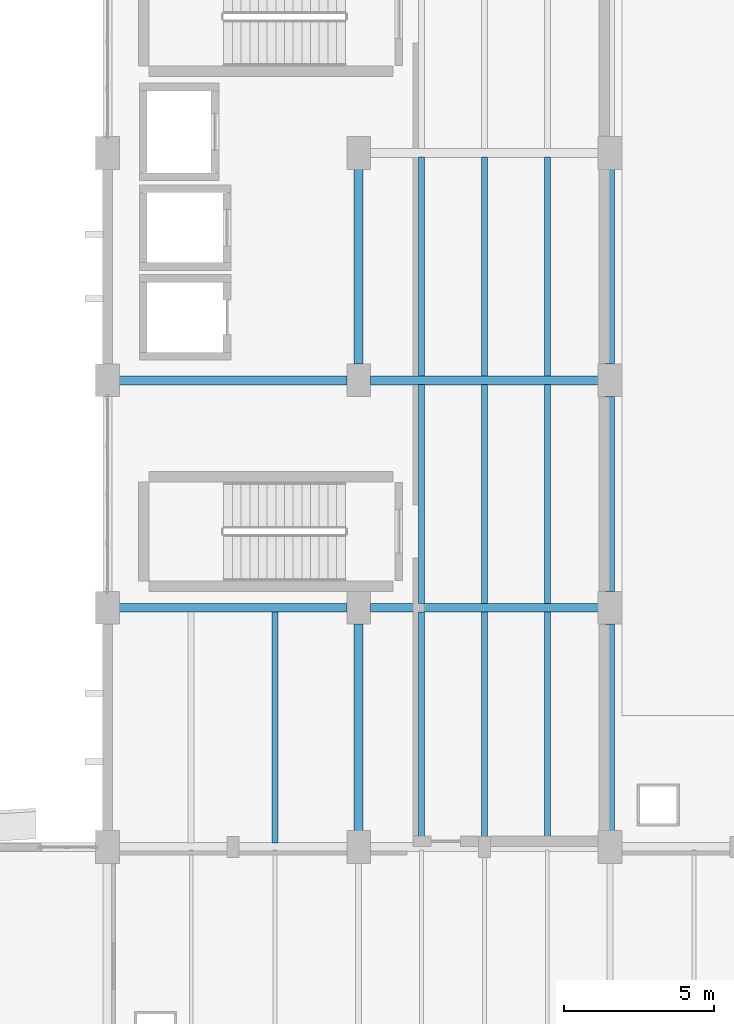
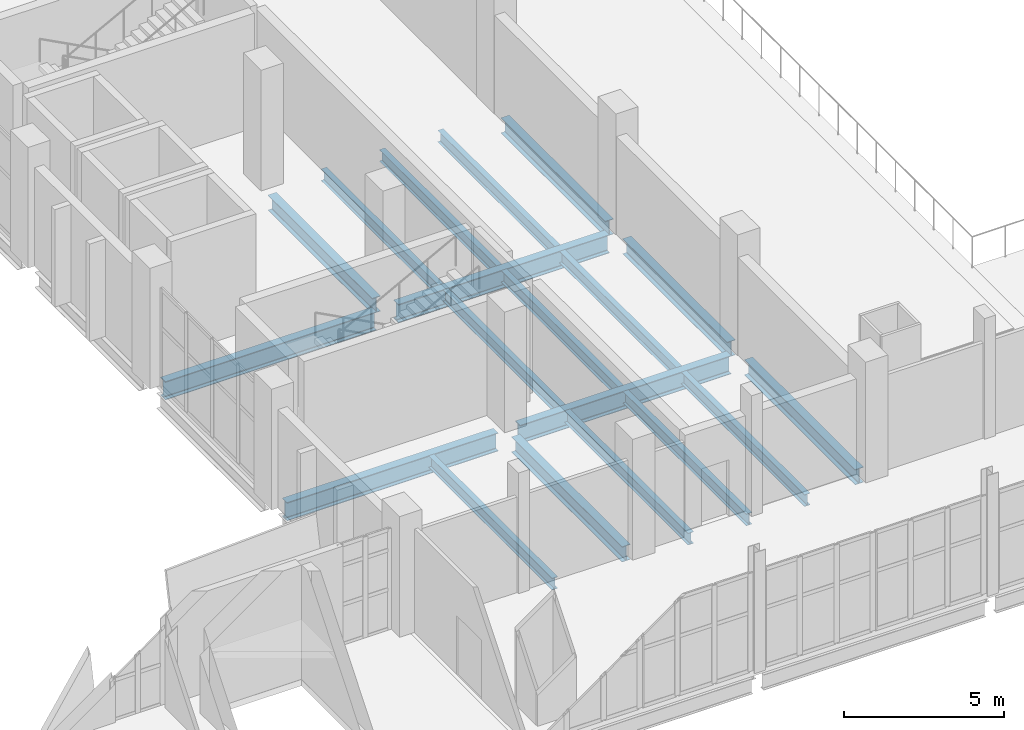
# One storey, part 75 of 172: 19 beams.
"""IFC4 building model written with IfcOpenShell, lengths in metres."""

from ifc_helpers import new_model, si_unit, direction, frame, origin, origin_2d, place, context, subcontext, project, spatial, i_section, extrude, material, material_profile, profile_set, type_object, element, save


model = new_model("IFC4")

# Units and contexts
model_context = context("Model", 3, precision=1e-05, world=origin(), true_north=direction((0.0, 1.0)))
body_context = subcontext(model_context, "Body", "Model", "MODEL_VIEW")
ifc_project = project(units=[si_unit("LENGTHUNIT", "METRE"), si_unit("AREAUNIT", "SQUARE_METRE"), si_unit("VOLUMEUNIT", "CUBIC_METRE"), si_unit("PLANEANGLEUNIT", "RADIAN"), si_unit("MASSUNIT", "GRAM", prefix="KILO")], contexts=[model_context])

# Site, building, storey
site_placement = place(None, origin())
site = spatial("IfcSite", under=ifc_project, at=site_placement, CompositionType="ELEMENT")
building_placement = place(site_placement, origin())
building = spatial("IfcBuilding", under=site, at=building_placement, Name="Shengluoqiao Park Theatre", CompositionType="ELEMENT")
storey_placement = place(building_placement, frame((0.0, 0.0, 5.39990234375)))
storey = spatial("IfcBuildingStorey", under=building, at=storey_placement, Name="L01", CompositionType="ELEMENT", Elevation=5.39990234375)

# Beams
ifc_material_1 = material(Name="Steel Q355", Category="steel")
ifc_material_profile_1 = material_profile(ifc_material_1, i_section(OverallWidth=0.300048828125, OverallDepth=0.587890625, WebThickness=0.011962890625, FlangeThickness=0.02001953125, FilletRadius=0.02392578125, at=origin_2d()), Name="HM 588x300x12x20")
ifc_profile_set_1 = profile_set([ifc_material_profile_1], Name="Steel Q355")
beam_type_1 = type_object("IfcBeamType", Name="STR-BM-G-HM588", PredefinedType="BEAM", material=ifc_profile_set_1)
beam_1_placement = place(storey_placement, frame((52.800048828125, 76.5439453125, -0.533935546875), z_axis=(0.0, 1.0, 0.0), x_axis=(-1.0, 0.0, 0.0)))
element("IfcBeam", 1, at=beam_1_placement, inside=storey, type_object=beam_type_1, Name="L01 Transverse Girder 00287", PredefinedType="BEAM", context=body_context, shape_type="SweptSolid", body=[
    extrude(i_section(OverallWidth=0.300048828125, OverallDepth=0.587890625, WebThickness=0.011962890625, FlangeThickness=0.02001953125, FilletRadius=0.02392578125, at=origin_2d()), origin(), (0.0, 0.0, 1.0), 6.912109375),
])
beam_2_placement = place(storey_placement, frame((52.800048828125, 92.14404296875, -0.533935546875), z_axis=(0.0, 1.0, 0.0), x_axis=(-1.0, 0.0, 0.0)))
element("IfcBeam", 2, at=beam_2_placement, inside=storey, type_object=beam_type_1, Name="L01 Transverse Girder 00288", PredefinedType="BEAM", context=body_context, shape_type="SweptSolid", body=[
    extrude(i_section(OverallWidth=0.300048828125, OverallDepth=0.587890625, WebThickness=0.011962890625, FlangeThickness=0.02001953125, FilletRadius=0.02392578125, at=origin_2d()), origin(), (0.0, 0.0, 1.0), 6.511962890625),
])
beam_3_placement = place(storey_placement, frame((61.199951171875, 76.5439453125, -0.533935546875), z_axis=(0.0, 1.0, 0.0), x_axis=(-1.0, 0.0, 0.0)))
element("IfcBeam", 3, at=beam_3_placement, inside=storey, type_object=beam_type_1, Name="L01 Transverse Girder 00290", PredefinedType="BEAM", context=body_context, shape_type="SweptSolid", body=[
    extrude(i_section(OverallWidth=0.300048828125, OverallDepth=0.587890625, WebThickness=0.011962890625, FlangeThickness=0.02001953125, FilletRadius=0.02392578125, at=origin_2d()), origin(), (0.0, 0.0, 1.0), 6.912109375),
])
for number, where, z_axis, x_axis, name in (
    (4, (61.199951171875, 84.5439453125, -0.533935546875), (0.0, 1.0, 0.0), (-1.0, 0.0, 0.0), "L01 Transverse Girder 00291"),
    (5, (61.199951171875, 92.14404296875, -0.533935546875), (0.0, 1.0, 0.0), (-1.0, 0.0, 0.0), "L01 Transverse Girder 00292"),
):
    element("IfcBeam", number, at=place(storey_placement, frame(where, z_axis=z_axis, x_axis=x_axis)), inside=storey, type_object=beam_type_1, Name=name, PredefinedType="BEAM", context=body_context, shape_type="SweptSolid", body=[
        extrude(i_section(OverallWidth=0.300048828125, OverallDepth=0.587890625, WebThickness=0.011962890625, FlangeThickness=0.02001953125, FilletRadius=0.02392578125, at=origin_2d()), origin(), (0.0, 0.0, 1.0), 6.511962890625),
    ])
ifc_material_2 = material(Name="Steel Q390", Category="steel")
ifc_material_profile_2 = material_profile(ifc_material_2, i_section(OverallWidth=0.300048828125, OverallDepth=0.699951171875, WebThickness=0.012939453125, FlangeThickness=0.02392578125, FilletRadius=0.02392578125, at=origin_2d()), Name="HN 700x300x13x24")
ifc_profile_set_2 = profile_set([ifc_material_profile_2], Name="Steel Q390")
beam_type_2 = type_object("IfcBeamType", Name="STR-BM-G-HN700", PredefinedType="BEAM", material=ifc_profile_set_2)
beam_4_placement = place(storey_placement, frame((44.7939453125, 84.0, -0.58984375), z_axis=(1.0, 0.0, 0.0), x_axis=(0.0, 1.0, 0.0)))
element("IfcBeam", 6, at=beam_4_placement, inside=storey, type_object=beam_type_2, Name="L01 Primary Girder 00273", PredefinedType="BEAM", context=body_context, shape_type="SweptSolid", body=[
    extrude(i_section(OverallWidth=0.300048828125, OverallDepth=0.699951171875, WebThickness=0.012939453125, FlangeThickness=0.02392578125, FilletRadius=0.02392578125, at=origin_2d()), origin(), (0.0, 0.0, 1.0), 7.612060546875),
])
beam_5_placement = place(storey_placement, frame((53.194091796875, 84.0, -0.58984375), z_axis=(1.0, 0.0, 0.0), x_axis=(0.0, 1.0, 0.0)))
element("IfcBeam", 7, at=beam_5_placement, inside=storey, type_object=beam_type_2, Name="L01 Primary Girder 00274", PredefinedType="BEAM", context=body_context, shape_type="SweptSolid", body=[
    extrude(i_section(OverallWidth=0.300048828125, OverallDepth=0.699951171875, WebThickness=0.012939453125, FlangeThickness=0.02392578125, FilletRadius=0.02392578125, at=origin_2d()), origin(), (0.0, 0.0, 1.0), 7.61181640625),
])
beam_6_placement = place(storey_placement, frame((44.7939453125, 91.60009765625, -0.58984375), z_axis=(1.0, 0.0, 0.0), x_axis=(0.0, 1.0, 0.0)))
element("IfcBeam", 8, at=beam_6_placement, inside=storey, type_object=beam_type_2, Name="L01 Primary Girder 00275", PredefinedType="BEAM", context=body_context, shape_type="SweptSolid", body=[
    extrude(i_section(OverallWidth=0.300048828125, OverallDepth=0.699951171875, WebThickness=0.012939453125, FlangeThickness=0.02392578125, FilletRadius=0.02392578125, at=origin_2d()), origin(), (0.0, 0.0, 1.0), 7.612060546875),
])
beam_7_placement = place(storey_placement, frame((53.194091796875, 91.60009765625, -0.58984375), z_axis=(1.0, 0.0, 0.0), x_axis=(0.0, 1.0, 0.0)))
element("IfcBeam", 9, at=beam_7_placement, inside=storey, type_object=beam_type_2, Name="L01 Primary Girder 00276", PredefinedType="BEAM", context=body_context, shape_type="SweptSolid", body=[
    extrude(i_section(OverallWidth=0.300048828125, OverallDepth=0.699951171875, WebThickness=0.012939453125, FlangeThickness=0.02392578125, FilletRadius=0.02392578125, at=origin_2d()), origin(), (0.0, 0.0, 1.0), 7.61181640625),
])
ifc_material_profile_3 = material_profile(ifc_material_1, i_section(OverallWidth=0.199951171875, OverallDepth=0.449951171875, WebThickness=0.009033203125, FlangeThickness=0.013916015625, FilletRadius=0.01611328125, at=origin_2d()), Name="HN 450x200x9x14")
ifc_profile_set_3 = profile_set([ifc_material_profile_3], Name="Steel Q355")
beam_type_3 = type_object("IfcBeamType", Name="STR-BM-J-HN450", PredefinedType="JOIST", material=ifc_profile_set_3)
for number, where, z_axis, x_axis, name in (
    (10, (50.0, 76.14501953125, -0.46484375), (0.0, 1.0, 0.0), (-1.0, 0.0, 0.0), "L01 Composite Joist 00296"),
    (11, (54.89990234375, 76.14501953125, -0.46484375), (0.0, 1.0, 0.0), (-1.0, 0.0, 0.0), "L01 Composite Joist 00299"),
    (12, (57.0, 76.14501953125, -0.46484375), (0.0, 1.0, 0.0), (-1.0, 0.0, 0.0), "L01 Composite Joist 00300"),
    (13, (59.10009765625, 76.14501953125, -0.46484375), (0.0, 1.0, 0.0), (-1.0, 0.0, 0.0), "L01 Composite Joist 00301"),
):
    element("IfcBeam", number, at=place(storey_placement, frame(where, z_axis=z_axis, x_axis=x_axis)), inside=storey, type_object=beam_type_3, Name=name, PredefinedType="JOIST", context=body_context, shape_type="SweptSolid", body=[
        extrude(i_section(OverallWidth=0.199951171875, OverallDepth=0.449951171875, WebThickness=0.009033203125, FlangeThickness=0.013916015625, FilletRadius=0.01611328125, at=origin_2d()), origin(), (0.0, 0.0, 1.0), 7.7099609375),
    ])
for number, where, z_axis, x_axis, name in (
    (14, (54.89990234375, 84.14501953125, -0.46484375), (0.0, 1.0, 0.0), (-1.0, 0.0, 0.0), "L01 Composite Joist 00302"),
    (15, (57.0, 84.14501953125, -0.46484375), (0.0, 1.0, 0.0), (-1.0, 0.0, 0.0), "L01 Composite Joist 00303"),
    (16, (59.10009765625, 84.14501953125, -0.46484375), (0.0, 1.0, 0.0), (-1.0, 0.0, 0.0), "L01 Composite Joist 00304"),
):
    element("IfcBeam", number, at=place(storey_placement, frame(where, z_axis=z_axis, x_axis=x_axis)), inside=storey, type_object=beam_type_3, Name=name, PredefinedType="JOIST", context=body_context, shape_type="SweptSolid", body=[
        extrude(i_section(OverallWidth=0.199951171875, OverallDepth=0.449951171875, WebThickness=0.009033203125, FlangeThickness=0.013916015625, FilletRadius=0.01611328125, at=origin_2d()), origin(), (0.0, 0.0, 1.0), 7.31005859375),
    ])
for number, where, z_axis, x_axis, name in (
    (17, (54.89990234375, 91.7451171875, -0.46484375), (0.0, 1.0, 0.0), (-1.0, 0.0, 0.0), "L01 Composite Joist 00305"),
    (18, (57.0, 91.7451171875, -0.46484375), (0.0, 1.0, 0.0), (-1.0, 0.0, 0.0), "L01 Composite Joist 00306"),
    (19, (59.10009765625, 91.7451171875, -0.46484375), (0.0, 1.0, 0.0), (-1.0, 0.0, 0.0), "L01 Composite Joist 00307"),
):
    element("IfcBeam", number, at=place(storey_placement, frame(where, z_axis=z_axis, x_axis=x_axis)), inside=storey, type_object=beam_type_3, Name=name, PredefinedType="JOIST", context=body_context, shape_type="SweptSolid", body=[
        extrude(i_section(OverallWidth=0.199951171875, OverallDepth=0.449951171875, WebThickness=0.009033203125, FlangeThickness=0.013916015625, FilletRadius=0.01611328125, at=origin_2d()), origin(), (0.0, 0.0, 1.0), 7.309814453125),
    ])

save(model, "model.ifc")
